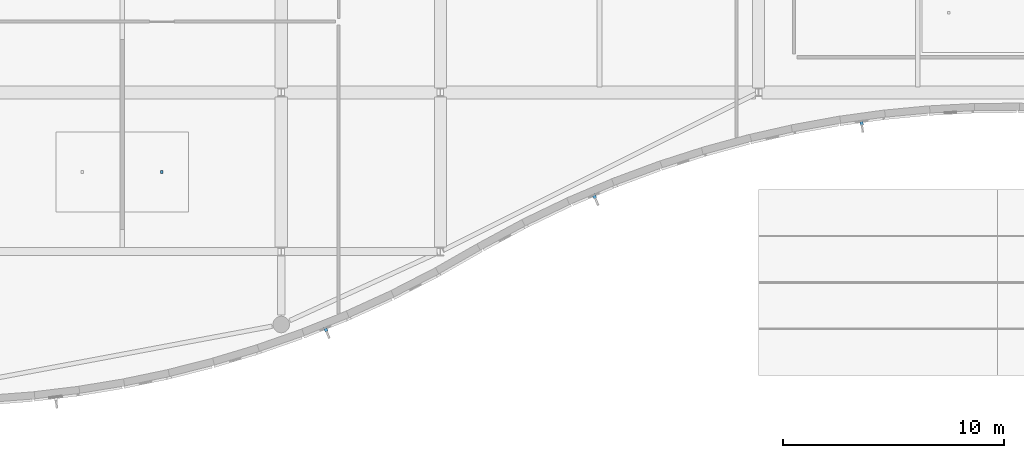
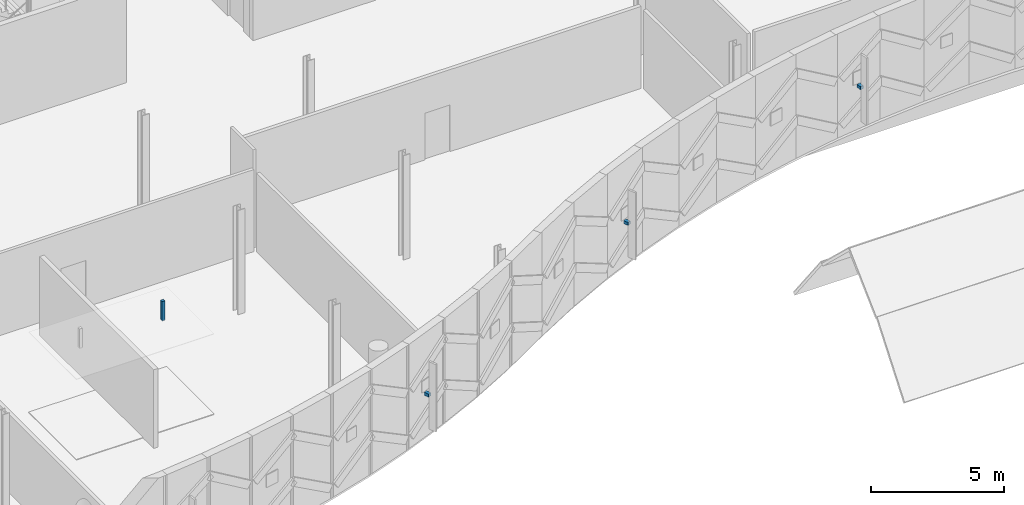
# One storey, part 156 of 193: 4 discrete accessories.
"""IFC4 building model written with IfcOpenShell, lengths in metres."""

from ifc_helpers import new_model, si_unit, direction, frame, origin, origin_2d, place, context, subcontext, project, spatial, rectangle, extrude, material, type_object, element, save


model = new_model("IFC4")

# Units and contexts
model_context = context("Model", 3, precision=1e-05, world=origin(), true_north=direction((0.0, 1.0)))
body_context = subcontext(model_context, "Body", "Model", "MODEL_VIEW")
ifc_project = project(units=[si_unit("LENGTHUNIT", "METRE"), si_unit("AREAUNIT", "SQUARE_METRE"), si_unit("VOLUMEUNIT", "CUBIC_METRE"), si_unit("PLANEANGLEUNIT", "RADIAN"), si_unit("MASSUNIT", "GRAM", prefix="KILO")], contexts=[model_context])

# Site, building, storey
site_placement = place(None, origin())
site = spatial("IfcSite", under=ifc_project, at=site_placement, CompositionType="ELEMENT")
building_placement = place(site_placement, origin())
building = spatial("IfcBuilding", under=site, at=building_placement, Name="Cendralis Lancet Convention Centre", CompositionType="ELEMENT")
storey_placement = place(building_placement, frame((0.0, 0.0, 10.199951171875)))
storey = spatial("IfcBuildingStorey", under=building, at=storey_placement, Name="L02", CompositionType="ELEMENT", Elevation=10.199951171875)

# Discrete accessories
ifc_material = material(Name="Steel S355", Category="steel")
discrete_accessory_type_1 = type_object("IfcDiscreteAccessoryType", Name="ARC-BRK-CLG", PredefinedType="BRACKET", material=ifc_material)
discrete_accessory_placement = place(storey_placement, frame((66.60009765625, 10.800048828125, 3.68994140625), z_axis=(0.0, 0.0, 1.0), x_axis=(1.0, 0.0, 0.0)))
element("IfcDiscreteAccessory", 1, at=discrete_accessory_placement, inside=storey, type_object=discrete_accessory_type_1, Name="L02 Ceiling Suspension Bracket #09-2", PredefinedType="BRACKET", context=body_context, shape_type="SweptSolid", body=[
    extrude(rectangle(XDim=0.1201171875, YDim=0.1201171875, at=origin_2d()), origin(), (0.0, 0.0, 1.0), 0.889892578125),
])
discrete_accessory_type_2 = type_object("IfcDiscreteAccessoryType", Name="ARC-BRK-FIN", PredefinedType="BRACKET", material=ifc_material)
for number, where, z_axis, x_axis, name in (
    (2, (74.017822265625, 3.673095703125, 1.93017578125), (0.0, 0.0, 1.0), (0.928063926041, 0.372420930105, 0.0), "Facade Fin Bracket BK-FIN #014"),
    (3, (86.173828125, 9.692626953125, 1.93017578125), (0.0, 0.0, 1.0), (0.920756984653, 0.390136610961, 0.0), "Facade Fin Bracket BK-FIN #016"),
    (4, (98.259033203125, 13.028564453125, 1.93017578125), (0.0, 0.0, 1.0), (0.990576513035, 0.136960475405, 0.0), "Facade Fin Bracket BK-FIN #018"),
):
    element("IfcDiscreteAccessory", number, at=place(storey_placement, frame(where, z_axis=z_axis, x_axis=x_axis)), inside=storey, type_object=discrete_accessory_type_2, Name=name, PredefinedType="BRACKET", context=body_context, shape_type="SweptSolid", body=[
        extrude(rectangle(XDim=0.139892578125, YDim=0.219970703125, at=origin_2d()), origin(), (0.0, 0.0, 1.0), 0.139892578125),
    ])

save(model, "model.ifc")
